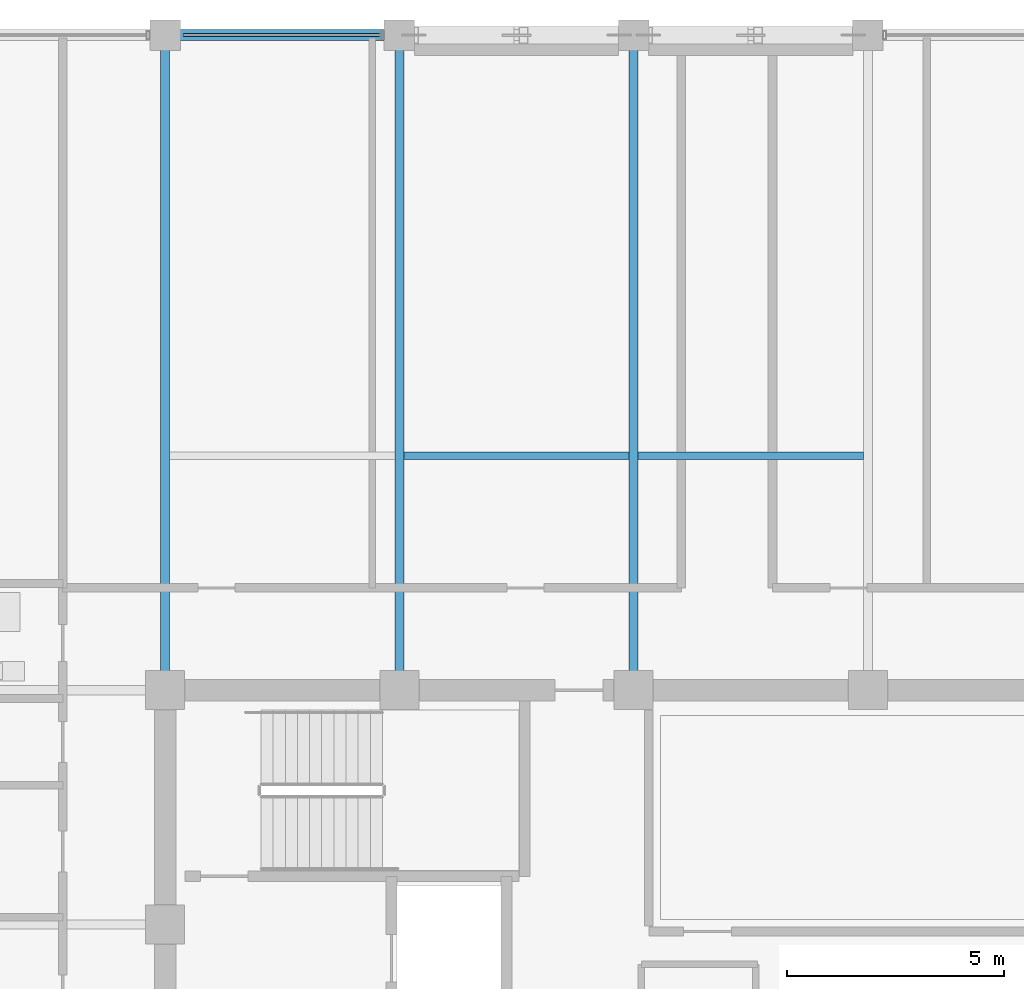
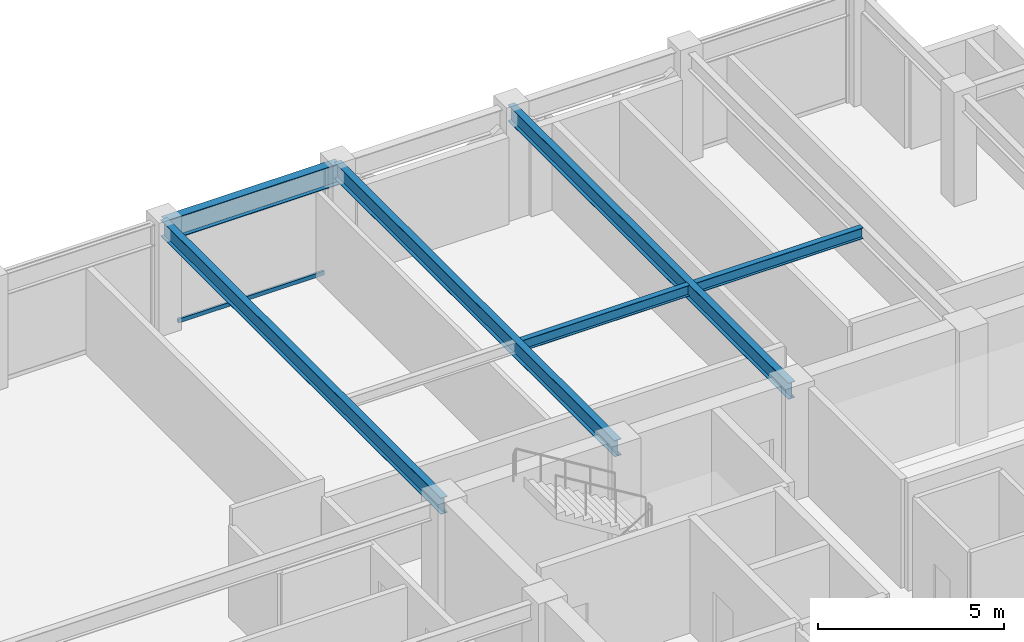
# One storey, part 18 of 30: 6 beams, 1 member, 1 element without a shape of its own.
"""IFC4 building model written with IfcOpenShell, lengths in metres."""

from ifc_helpers import new_model, si_unit, direction, frame, origin, origin_2d, place, context, subcontext, project, spatial, hollow_rectangle, i_section, extrude, material, layer, layer_set, material_profile, profile_set, type_object, element, aggregate, save


model = new_model("IFC4")

# Units and contexts
model_context = context("Model", 3, precision=1e-05, world=origin(), true_north=direction((0.0, 1.0)))
body_context = subcontext(model_context, "Body", "Model", "MODEL_VIEW")
ifc_project = project(units=[si_unit("LENGTHUNIT", "METRE"), si_unit("AREAUNIT", "SQUARE_METRE"), si_unit("VOLUMEUNIT", "CUBIC_METRE"), si_unit("PLANEANGLEUNIT", "RADIAN"), si_unit("MASSUNIT", "GRAM", prefix="KILO")], contexts=[model_context])

# Site, building, storey
site_placement = place(None, origin())
site = spatial("IfcSite", under=ifc_project, at=site_placement, CompositionType="ELEMENT")
building_placement = place(site_placement, origin())
building = spatial("IfcBuilding", under=site, at=building_placement, Name="Surkhivell Harbour Commons", CompositionType="ELEMENT")
storey_placement = place(building_placement, frame((0.0, 0.0, 300.0)))
storey = spatial("IfcBuildingStorey", under=building, at=storey_placement, Name="L78", CompositionType="ELEMENT", Elevation=300.0)

# Beams
ifc_material_1 = material(Name="Steel S355", Category="steel")
ifc_material_profile_1 = material_profile(ifc_material_1, i_section(OverallWidth=0.2099609375, OverallDepth=0.537109375, WebThickness=0.0107421875, FlangeThickness=0.017333984375, at=origin_2d()), Name="UB533x210x101")
ifc_profile_set_1 = profile_set([ifc_material_profile_1], Name="Steel S355")
beam_type_1 = type_object("IfcBeamType", Name="BM-GRD-533B", PredefinedType="BEAM", material=ifc_profile_set_1)
for number, where, z_axis, x_axis, name in (
    (1, (-10.800048828125, 10.800048828125, 3.301513671875), (0.0, 1.0, 0.0), (-1.0, 0.0, 0.0), "L78 Floor Girder (-10.8,10.8)"),
    (2, (-5.39990234375, 10.800048828125, 3.301513671875), (0.0, 1.0, 0.0), (-1.0, 0.0, 0.0), "L78 Floor Girder (-5.4,10.8)"),
    (3, (0.0, 10.800048828125, 3.301513671875), (0.0, 1.0, 0.0), (-1.0, 0.0, 0.0), "L78 Floor Girder (0.0,10.8)"),
):
    element("IfcBeam", number, at=place(storey_placement, frame(where, z_axis=z_axis, x_axis=x_axis)), inside=storey, type_object=beam_type_1, Name=name, PredefinedType="BEAM", context=body_context, shape_type="SweptSolid", body=[
        extrude(i_section(OverallWidth=0.2099609375, OverallDepth=0.537109375, WebThickness=0.0107421875, FlangeThickness=0.017333984375, at=origin_2d()), origin(), (0.0, 0.0, 1.0), 15.099853515625),
    ])
ifc_material_profile_2 = material_profile(ifc_material_1, i_section(OverallWidth=0.172119140625, OverallDepth=0.35791015625, WebThickness=0.008056640625, FlangeThickness=0.012939453125, at=origin_2d()), Name="UB356x171x57")
ifc_profile_set_2 = profile_set([ifc_material_profile_2], Name="Steel S355")
beam_type_2 = type_object("IfcBeamType", Name="BM-JST-356", PredefinedType="JOIST", material=ifc_profile_set_2)
for number, where, z_axis, x_axis, name in (
    (4, (-5.297119140625, 16.199951171875, 3.39111328125), (1.0, 0.0, 0.0), (0.0, 1.0, 0.0), "L78 North Composite Joist (-5.4)"),
    (5, (0.10302734375, 16.199951171875, 3.39111328125), (1.0, 0.0, 0.0), (0.0, 1.0, 0.0), "L78 North Composite Joist (0.0)"),
):
    element("IfcBeam", number, at=place(storey_placement, frame(where, z_axis=z_axis, x_axis=x_axis)), inside=storey, type_object=beam_type_2, Name=name, PredefinedType="JOIST", context=body_context, shape_type="SweptSolid", body=[
        extrude(i_section(OverallWidth=0.172119140625, OverallDepth=0.35791015625, WebThickness=0.008056640625, FlangeThickness=0.012939453125, at=origin_2d()), origin(), (0.0, 0.0, 1.0), 5.194091796875),
    ])
ifc_material_profile_3 = material_profile(ifc_material_1, i_section(OverallWidth=0.256103515625, OverallDepth=0.693115234375, WebThickness=0.014404296875, FlangeThickness=0.023681640625, at=origin_2d()), Name="UB686x254x170")
ifc_profile_set_3 = profile_set([ifc_material_profile_3], Name="Steel S355")
beam_type_3 = type_object("IfcBeamType", Name="BM-SPN-686", PredefinedType="SPANDREL", material=ifc_profile_set_3)
beam_placement = place(storey_placement, frame((-10.800048828125, 25.89990234375, 3.223388671875), z_axis=(1.0, 0.0, 0.0), x_axis=(0.0, 1.0, 0.0)))
element("IfcBeam", 6, at=beam_placement, inside=storey, type_object=beam_type_3, Name="L78 Tube Spandrel (-10.8,25.9)", PredefinedType="SPANDREL", context=body_context, shape_type="SweptSolid", body=[
    extrude(i_section(OverallWidth=0.256103515625, OverallDepth=0.693115234375, WebThickness=0.014404296875, FlangeThickness=0.023681640625, at=origin_2d()), origin(), (0.0, 0.0, 1.0), 5.400146484375),
])

# Curtain wall, member
ifc_material_2 = material(Name="Anodised pale-metal aluminium and insulated glazing", Category="aluminium")
ifc_layer = layer(ifc_material_2, 0.175048828125)
ifc_layer_set = layer_set([ifc_layer], Name="Anodised pale-metal aluminium and insulated glazing")
curtain_wall_type = type_object("IfcCurtainWallType", Name="CW-SYS-Z4", PredefinedType="NOTDEFINED", material=ifc_layer_set)
curtain_wall_placement = place(storey_placement, origin())
curtain_wall = element("IfcCurtainWall", 7, at=curtain_wall_placement, inside=storey, type_object=curtain_wall_type, Name="L78 Curtain Wall CW-L78-E07S2", PredefinedType="NOTDEFINED")
ifc_material_3 = material(Name="Champagne anodised aluminium alloy 6063-T6", Category="aluminium")
ifc_material_profile_4 = material_profile(ifc_material_3, hollow_rectangle(XDim=0.070068359375, YDim=0.1298828125, WallThickness=0.00341796875, at=origin_2d()), Name="ALU-TRAN-70x130")
ifc_profile_set_4 = profile_set([ifc_material_profile_4], Name="Champagne anodised aluminium alloy 6063-T6")
member_type = type_object("IfcMemberType", Name="CWT-130", PredefinedType="USERDEFINED", material=ifc_profile_set_4)
member_placement = place(storey_placement, frame((-5.826904296875, 25.89990234375, 0.06494140625), z_axis=(-1.0, 0.0, 0.0), x_axis=(0.0, -1.0, 0.0)))
member = element("IfcMember", 8, at=member_placement, type_object=member_type, Name="CW-Z4 transom 1.1", ObjectType="TRANSOM", PredefinedType="USERDEFINED", context=body_context, shape_type="SweptSolid", body=[
    extrude(hollow_rectangle(XDim=0.070068359375, YDim=0.1298828125, WallThickness=0.00341796875, at=origin_2d()), origin(), (0.0, 0.0, 1.0), 4.546142578125),
])
aggregate(curtain_wall, [member])

save(model, "model.ifc")
